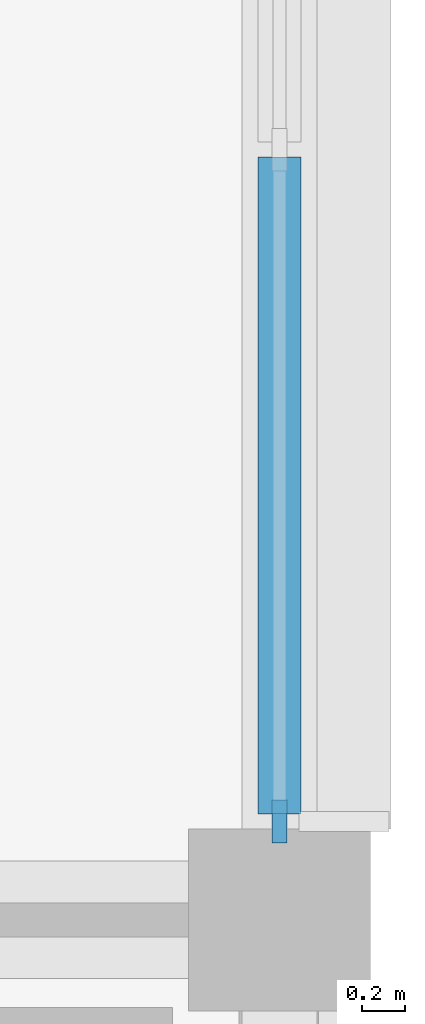
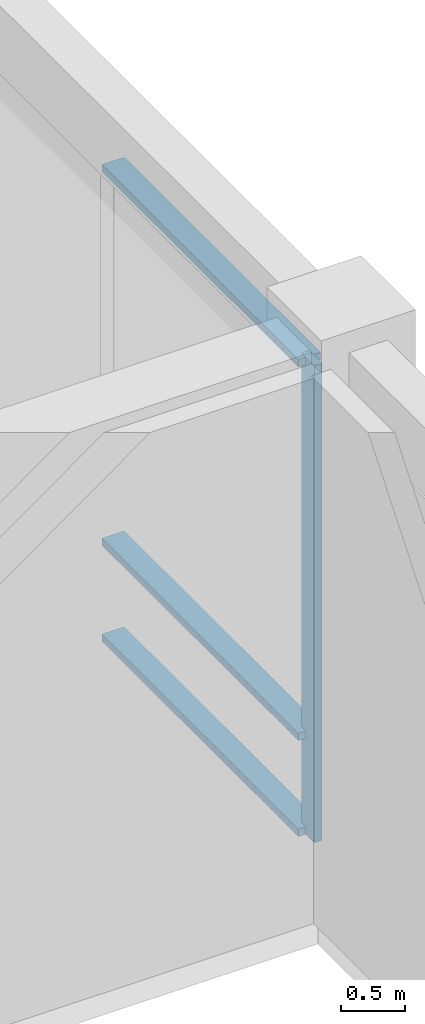
# One storey, part 19 of 58: 4 members, 1 element without a shape of its own.
"""IFC4 building model written with IfcOpenShell, lengths in metres."""

from ifc_helpers import new_model, si_unit, direction, frame, origin, origin_2d, place, context, subcontext, project, spatial, rectangle, extrude, material, layer, layer_set, material_profile, profile_set, type_object, element, aggregate, save


model = new_model("IFC4")

# Units and contexts
model_context = context("Model", 3, precision=1e-05, world=origin(), true_north=direction((0.0, 1.0)))
body_context = subcontext(model_context, "Body", "Model", "MODEL_VIEW")
ifc_project = project(units=[si_unit("LENGTHUNIT", "METRE"), si_unit("AREAUNIT", "SQUARE_METRE"), si_unit("VOLUMEUNIT", "CUBIC_METRE"), si_unit("PLANEANGLEUNIT", "RADIAN"), si_unit("MASSUNIT", "GRAM", prefix="KILO")], contexts=[model_context])

# Site, building, storey
site_placement = place(None, origin())
site = spatial("IfcSite", under=ifc_project, at=site_placement, CompositionType="ELEMENT")
building_placement = place(site_placement, origin())
building = spatial("IfcBuilding", under=site, at=building_placement, Name="Chengyuan Square Courthouse", CompositionType="ELEMENT")
storey_placement = place(building_placement, frame((0.0, 0.0, 16.199951171875)))
storey = spatial("IfcBuildingStorey", under=building, at=storey_placement, Name="L04", CompositionType="ELEMENT", Elevation=16.199951171875)

# Curtain wall, members
ifc_material_1 = material(Name="Unitised Aluminium and Triple Low-E Glass", Category="aluminium")
ifc_layer = layer(ifc_material_1, 0.199951171875)
ifc_layer_set = layer_set([ifc_layer], Name="Unitised Aluminium and Triple Low-E Glass")
curtain_wall_type = type_object("IfcCurtainWallType", Name="CW-23", PredefinedType="USERDEFINED", material=ifc_layer_set)
curtain_wall_placement = place(storey_placement, origin())
curtain_wall = element("IfcCurtainWall", 1, at=curtain_wall_placement, inside=storey, type_object=curtain_wall_type, Name="Unitised Curtain Wall CW-L04-161", ObjectType="UNITISED CURTAIN WALL", PredefinedType="USERDEFINED")
ifc_material_2 = material(Name="Aluminium 6063-T6 Frame", Category="aluminium")
ifc_material_profile_1 = material_profile(ifc_material_2, rectangle(XDim=0.070068359375, YDim=0.199951171875, at=origin_2d()), Name="CW-MUL-70x200")
ifc_profile_set_1 = profile_set([ifc_material_profile_1], Name="Aluminium 6063-T6 Frame")
member_type_1 = type_object("IfcMemberType", Name="CWM-03", PredefinedType="MULLION", material=ifc_profile_set_1)
member_1_placement = place(storey_placement, frame((168.0, 65.260009765625, 0.0), z_axis=(0.0, 0.0, 1.0), x_axis=(-1.0, 0.0, 0.0)))
member_1 = element("IfcMember", 2, at=member_1_placement, type_object=member_type_1, Name="CW-23 mullion 1", PredefinedType="MULLION", context=body_context, shape_type="SweptSolid", body=[
    extrude(rectangle(XDim=0.070068359375, YDim=0.199951171875, at=origin_2d()), origin(), (0.0, 0.0, 1.0), 4.550048828125),
])
ifc_material_profile_2 = material_profile(ifc_material_2, rectangle(XDim=0.199951171875, YDim=0.070068359375, at=origin_2d()), Name="CW-TRN-70x160")
ifc_profile_set_2 = profile_set([ifc_material_profile_2], Name="Aluminium 6063-T6 Frame")
member_type_2 = type_object("IfcMemberType", Name="CWT-03", PredefinedType="USERDEFINED", material=ifc_profile_set_2)
member_2_placement = place(storey_placement, frame((168.0, 65.294921875, 0.03515625), z_axis=(0.0, 1.0, 0.0), x_axis=(-1.0, 0.0, 0.0)))
member_2 = element("IfcMember", 3, at=member_2_placement, type_object=member_type_2, Name="CW-23 transom 1.1", ObjectType="TRANSOM", PredefinedType="USERDEFINED", context=body_context, shape_type="SweptSolid", body=[
    extrude(rectangle(XDim=0.199951171875, YDim=0.070068359375, at=origin_2d()), origin(), (0.0, 0.0, 1.0), 3.070068359375),
])
member_3_placement = place(storey_placement, frame((168.0, 65.294921875, 0.949951171875), z_axis=(0.0, 1.0, 0.0), x_axis=(-1.0, 0.0, 0.0)))
member_3 = element("IfcMember", 4, at=member_3_placement, type_object=member_type_2, Name="CW-23 transom 1.2", ObjectType="TRANSOM", PredefinedType="USERDEFINED", context=body_context, shape_type="SweptSolid", body=[
    extrude(rectangle(XDim=0.199951171875, YDim=0.070068359375, at=origin_2d()), origin(), (0.0, 0.0, 1.0), 3.070068359375),
])
member_4_placement = place(storey_placement, frame((168.0, 65.294921875, 4.51513671875), z_axis=(0.0, 1.0, 0.0), x_axis=(-1.0, 0.0, 0.0)))
member_4 = element("IfcMember", 5, at=member_4_placement, type_object=member_type_2, Name="CW-23 transom 1.3", ObjectType="TRANSOM", PredefinedType="USERDEFINED", context=body_context, shape_type="SweptSolid", body=[
    extrude(rectangle(XDim=0.199951171875, YDim=0.070068359375, at=origin_2d()), origin(), (0.0, 0.0, 1.0), 3.070068359375),
])
aggregate(curtain_wall, [member_1, member_2, member_3, member_4])

save(model, "model.ifc")
